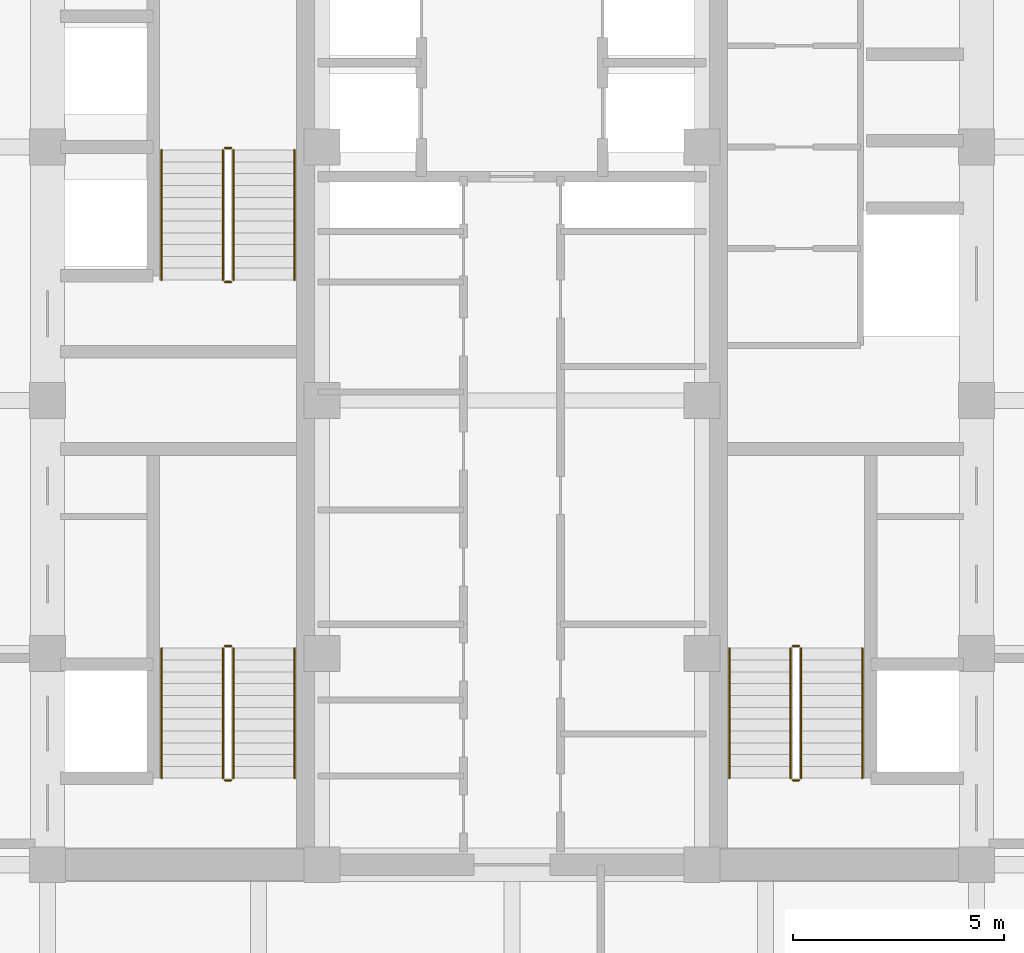
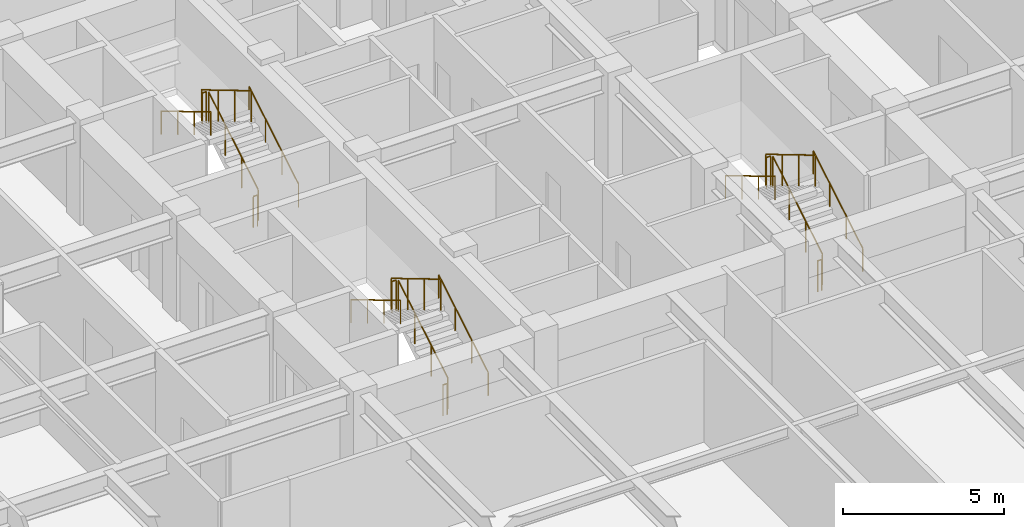
# One storey, part 25 of 25: 18 railings.
"""IFC4 building model written with IfcOpenShell, lengths in metres."""

from ifc_helpers import new_model, si_unit, direction, frame, origin, origin_2d, place, context, subcontext, project, spatial, circle, extrude, source, transform, mapped, material, type_object, element, save


model = new_model("IFC4")

# Units and contexts
model_context = context("Model", 3, precision=1e-05, world=origin(), true_north=direction((0.0, 1.0)))
body_context = subcontext(model_context, "Body", "Model", "MODEL_VIEW")
ifc_project = project(units=[si_unit("LENGTHUNIT", "METRE"), si_unit("AREAUNIT", "SQUARE_METRE"), si_unit("VOLUMEUNIT", "CUBIC_METRE"), si_unit("PLANEANGLEUNIT", "RADIAN"), si_unit("MASSUNIT", "GRAM", prefix="KILO")], contexts=[model_context])

# Site, building, storey
site_placement = place(None, origin())
site = spatial("IfcSite", under=ifc_project, at=site_placement, CompositionType="ELEMENT")
building_placement = place(site_placement, origin())
building = spatial("IfcBuilding", under=site, at=building_placement, Name="Khorayat Bourse Tower", CompositionType="ELEMENT")
storey_placement = place(building_placement, frame((0.0, 0.0, 195.10009765625)))
storey = spatial("IfcBuildingStorey", under=building, at=storey_placement, Name="L45", CompositionType="ELEMENT", Elevation=195.10009765625)

# Railings
ifc_material_1 = material(Name="Powder-coated steel balustrade", Category="steel")
railing_type_1 = type_object("IfcRailingType", Name="RLG-GUARD-1200", PredefinedType="GUARDRAIL", material=ifc_material_1)
shared_shape_1 = source(origin(), body_context, "Body", "SweptSolid", [
    extrude(circle(Radius=0.02392578125, at=origin_2d()), frame((0.0, 0.0, 1.17578125), z_axis=(-1.0, 0.0, 0.0), x_axis=(0.0, -1.0, 0.0)), (0.0, 0.0, 1.0), 0.150146484375),
    extrude(circle(Radius=0.02099609375, at=origin_2d()), origin(), (0.0, 0.0, 1.0), 1.15185546875),
    extrude(circle(Radius=0.02099609375, at=origin_2d()), frame((-0.150146484375, 0.0, 0.0)), (0.0, 0.0, 1.0), 1.15185546875),
])
for number, where, name in (
    (1, (-6.64990234375, -5.820068359375, 2.0), "L45 ST-1 stair guard 2"),
    (2, (-6.64990234375, -9.0, 0.0), "L45 ST-1 stair guard 4"),
    (3, (-6.64990234375, 5.97998046875, 2.0), "L45 ST-2 stair guard 2"),
    (4, (-6.64990234375, 2.800048828125, 0.0), "L45 ST-2 stair guard 4"),
    (5, (6.800048828125, -5.820068359375, 2.0), "L45 ST-3 stair guard 2"),
    (6, (6.800048828125, -9.0, 0.0), "L45 ST-3 stair guard 4"),
):
    element("IfcRailing", number, at=place(storey_placement, frame(where)), inside=storey, type_object=railing_type_1, Name=name, PredefinedType="GUARDRAIL", context=body_context, shape_type="MappedRepresentation", body=[
        mapped(shared_shape_1, transform((0.0, 0.0, 0.0), scale=1.0)),
    ])
shared_shape_2 = source(origin(), body_context, "Body", "SweptSolid", [
    extrude(circle(Radius=0.02392578125, at=origin_2d()), frame((0.0, 0.0, 1.17578125), z_axis=(0.0, 0.859260807169, 0.511537745687), x_axis=(-1.0, 0.0, 0.0)), (0.0, 0.0, 1.0), 3.584228515625),
    extrude(circle(Radius=0.02099609375, at=origin_2d()), origin(), (0.0, 0.0, 1.0), 1.15185546875),
    extrude(circle(Radius=0.02099609375, at=origin_2d()), frame((0.0, 1.026611328125, 0.611083984375)), (0.0, 0.0, 1.0), 1.15185546875),
    extrude(circle(Radius=0.02099609375, at=origin_2d()), frame((0.0, 2.05322265625, 1.222412109375)), (0.0, 0.0, 1.0), 1.15185546875),
    extrude(circle(Radius=0.02099609375, at=origin_2d()), frame((0.0, 3.079833984375, 1.83349609375)), (0.0, 0.0, 1.0), 1.15185546875),
])
for number, where, name in (
    (7, (-6.60009765625, -8.949951171875, 0.16650390625), "L45 ST-1 stair guard 1"),
    (8, (-6.60009765625, 2.85009765625, 0.16650390625), "L45 ST-2 stair guard 1"),
    (9, (6.85009765625, -8.949951171875, 0.16650390625), "L45 ST-3 stair guard 1"),
):
    element("IfcRailing", number, at=place(storey_placement, frame(where)), inside=storey, type_object=railing_type_1, Name=name, PredefinedType="GUARDRAIL", context=body_context, shape_type="MappedRepresentation", body=[
        mapped(shared_shape_2, transform((0.0, 0.0, 0.0), scale=1.0)),
    ])
shared_shape_3 = source(origin(), body_context, "Body", "SweptSolid", [
    extrude(circle(Radius=0.02392578125, at=origin_2d()), frame((0.0, 0.0, 1.17578125), z_axis=(0.0, -0.859260807169, 0.511537745687), x_axis=(1.0, 0.0, 0.0)), (0.0, 0.0, 1.0), 3.584228515625),
    extrude(circle(Radius=0.02099609375, at=origin_2d()), origin(), (0.0, 0.0, 1.0), 1.15185546875),
    extrude(circle(Radius=0.02099609375, at=origin_2d()), frame((0.0, -1.026611328125, 0.611083984375)), (0.0, 0.0, 1.0), 1.15185546875),
    extrude(circle(Radius=0.02099609375, at=origin_2d()), frame((0.0, -2.05322265625, 1.222412109375)), (0.0, 0.0, 1.0), 1.15185546875),
    extrude(circle(Radius=0.02099609375, at=origin_2d()), frame((0.0, -3.079833984375, 1.83349609375)), (0.0, 0.0, 1.0), 1.15185546875),
])
for number, where, name in (
    (10, (-6.85009765625, -5.8701171875, 2.16650390625), "L45 ST-1 stair guard 3"),
    (11, (-6.85009765625, 5.929931640625, 2.16650390625), "L45 ST-2 stair guard 3"),
    (12, (6.60009765625, -5.8701171875, 2.16650390625), "L45 ST-3 stair guard 3"),
):
    element("IfcRailing", number, at=place(storey_placement, frame(where)), inside=storey, type_object=railing_type_1, Name=name, PredefinedType="GUARDRAIL", context=body_context, shape_type="MappedRepresentation", body=[
        mapped(shared_shape_3, transform((0.0, 0.0, 0.0), scale=1.0)),
    ])
ifc_material_2 = material(Name="Brushed bronze stainless-steel handrail", Category="steel")
railing_type_2 = type_object("IfcRailingType", Name="RLG-HAND-900", PredefinedType="HANDRAIL", material=ifc_material_2)
shared_shape_4 = source(origin(), body_context, "Body", "SweptSolid", [
    extrude(circle(Radius=0.02392578125, at=origin_2d()), frame((0.0, 0.0, 0.8759765625), z_axis=(0.0, 0.859260807169, 0.511537745687), x_axis=(-1.0, 0.0, 0.0)), (0.0, 0.0, 1.0), 3.584228515625),
    extrude(circle(Radius=0.02099609375, at=origin_2d()), origin(), (0.0, 0.0, 1.0), 0.851806640625),
    extrude(circle(Radius=0.02099609375, at=origin_2d()), frame((0.0, 1.026611328125, 0.611083984375)), (0.0, 0.0, 1.0), 0.851806640625),
    extrude(circle(Radius=0.02099609375, at=origin_2d()), frame((0.0, 2.05322265625, 1.222412109375)), (0.0, 0.0, 1.0), 0.851806640625),
    extrude(circle(Radius=0.02099609375, at=origin_2d()), frame((0.0, 3.079833984375, 1.83349609375)), (0.0, 0.0, 1.0), 0.851806640625),
])
for number, where, name in (
    (13, (-5.14990234375, -8.949951171875, 0.16650390625), "L45 ST-1 stair handrail 1"),
    (14, (-5.14990234375, 2.85009765625, 0.16650390625), "L45 ST-2 stair handrail 1"),
    (15, (8.300048828125, -8.949951171875, 0.16650390625), "L45 ST-3 stair handrail 1"),
):
    element("IfcRailing", number, at=place(storey_placement, frame(where)), inside=storey, type_object=railing_type_2, Name=name, PredefinedType="HANDRAIL", context=body_context, shape_type="MappedRepresentation", body=[
        mapped(shared_shape_4, transform((0.0, 0.0, 0.0), scale=1.0)),
    ])
shared_shape_5 = source(origin(), body_context, "Body", "SweptSolid", [
    extrude(circle(Radius=0.02392578125, at=origin_2d()), frame((0.0, 0.0, 0.8759765625), z_axis=(0.0, -0.859260807169, 0.511537745687), x_axis=(1.0, 0.0, 0.0)), (0.0, 0.0, 1.0), 3.584228515625),
    extrude(circle(Radius=0.02099609375, at=origin_2d()), origin(), (0.0, 0.0, 1.0), 0.851806640625),
    extrude(circle(Radius=0.02099609375, at=origin_2d()), frame((0.0, -1.026611328125, 0.611083984375)), (0.0, 0.0, 1.0), 0.851806640625),
    extrude(circle(Radius=0.02099609375, at=origin_2d()), frame((0.0, -2.05322265625, 1.222412109375)), (0.0, 0.0, 1.0), 0.851806640625),
    extrude(circle(Radius=0.02099609375, at=origin_2d()), frame((0.0, -3.079833984375, 1.83349609375)), (0.0, 0.0, 1.0), 0.851806640625),
])
for number, where, name in (
    (16, (-8.300048828125, -5.8701171875, 2.16650390625), "L45 ST-1 stair handrail 2"),
    (17, (-8.300048828125, 5.929931640625, 2.16650390625), "L45 ST-2 stair handrail 2"),
    (18, (5.14990234375, -5.8701171875, 2.16650390625), "L45 ST-3 stair handrail 2"),
):
    element("IfcRailing", number, at=place(storey_placement, frame(where)), inside=storey, type_object=railing_type_2, Name=name, PredefinedType="HANDRAIL", context=body_context, shape_type="MappedRepresentation", body=[
        mapped(shared_shape_5, transform((0.0, 0.0, 0.0), scale=1.0)),
    ])

save(model, "model.ifc")
